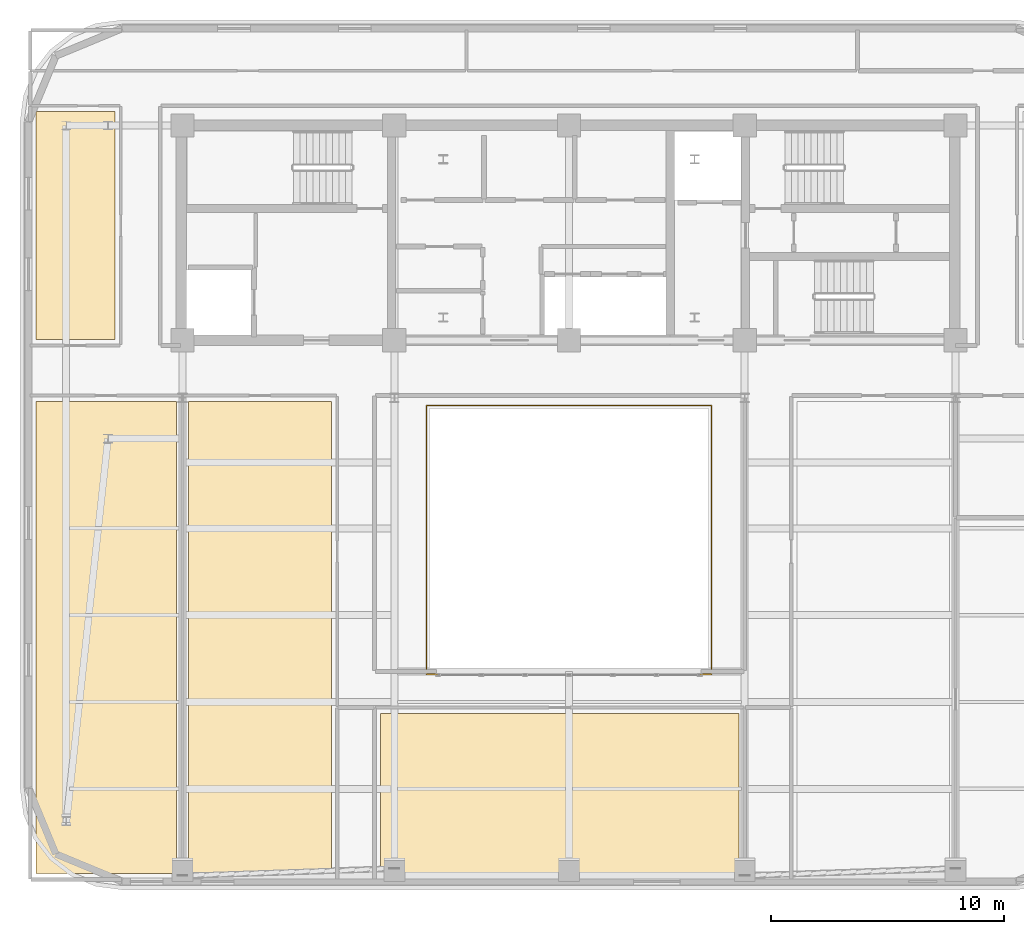
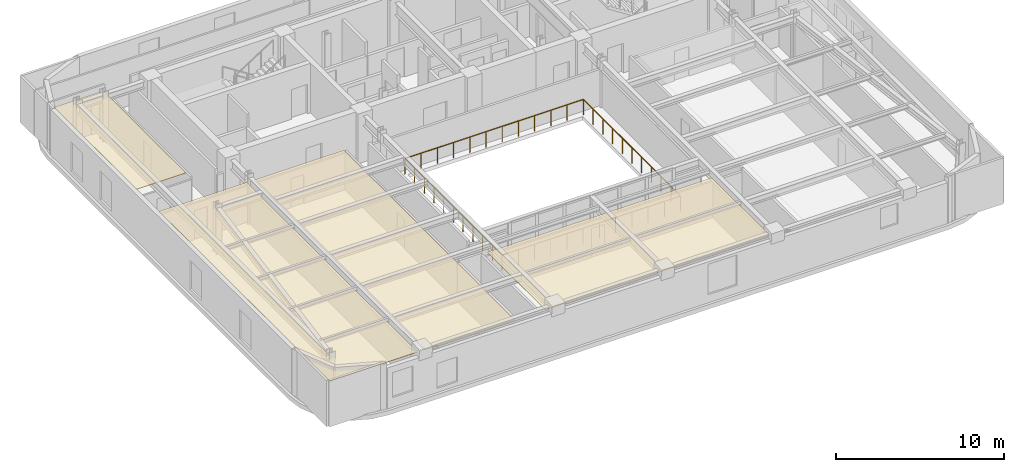
# One storey, part 10 of 13: 4 coverings, 1 railing.
"""IFC4 building model written with IfcOpenShell, lengths in metres."""

from ifc_helpers import new_model, si_unit, direction, frame, origin, origin_2d, place, context, subcontext, project, spatial, polyline, rectangle, outline, extrude, material, layer, layer_set, type_object, element, save


model = new_model("IFC4")

# Units and contexts
model_context = context("Model", 3, precision=1e-05, world=origin(), true_north=direction((0.0, 1.0)))
body_context = subcontext(model_context, "Body", "Model", "MODEL_VIEW")
ifc_project = project(units=[si_unit("LENGTHUNIT", "METRE"), si_unit("AREAUNIT", "SQUARE_METRE"), si_unit("VOLUMEUNIT", "CUBIC_METRE"), si_unit("PLANEANGLEUNIT", "RADIAN"), si_unit("MASSUNIT", "GRAM", prefix="KILO")], contexts=[model_context])

# Site, building, storey
site_placement = place(None, origin())
site = spatial("IfcSite", under=ifc_project, at=site_placement, CompositionType="ELEMENT")
building_placement = place(site_placement, origin())
building = spatial("IfcBuilding", under=site, at=building_placement, Name="Zarnavel Station Tower", CompositionType="ELEMENT")
storey_placement = place(building_placement, frame((0.0, 0.0, 232.800048828125)))
storey = spatial("IfcBuildingStorey", under=building, at=storey_placement, Name="L63", CompositionType="ELEMENT", Elevation=232.800048828125)

# Coverings
ifc_material_1 = material(Name="Perforated Gypsum and Mineral-Wool Acoustic Ceiling", Category="concrete")
ifc_layer = layer(ifc_material_1, 0.0400390625)
ifc_layer_set = layer_set([ifc_layer], Name="COV_CEIL_ACOUSTIC")
covering_type = type_object("IfcCoveringType", Name="COV_CEIL_ACOUSTIC", PredefinedType="CEILING", material=ifc_layer_set)
covering_1_placement = place(storey_placement, frame((0.0, 0.0, 3.02001953125)))
element("IfcCovering", 1, at=covering_1_placement, inside=storey, type_object=covering_type, Name="L63 FNW Acoustic Ceiling", PredefinedType="CEILING", context=body_context, shape_type="SweptSolid", body=[
    extrude(outline(polyline([(5.909912109375, 27.85009765625), (9.300048828125, 27.85009765625), (9.300048828125, 37.64990234375), (5.909912109375, 37.64990234375), (5.909912109375, 27.85009765625)])), origin(), (0.0, 0.0, 1.0), 0.0400390625),
])
covering_2_placement = place(storey_placement, frame((0.0, 0.0, 3.02001953125)))
element("IfcCovering", 2, at=covering_2_placement, inside=storey, type_object=covering_type, Name="L63 L63CLB Acoustic Ceiling", PredefinedType="CEILING", context=body_context, shape_type="SweptSolid", body=[
    extrude(outline(polyline([(5.909912109375, 4.909912109375), (11.949951171875, 4.909912109375), (11.949951171875, 25.199951171875), (5.909912109375, 25.199951171875), (5.909912109375, 4.909912109375)])), origin(), (0.0, 0.0, 1.0), 0.0400390625),
])
covering_3_placement = place(storey_placement, frame((0.0, 0.0, 3.02001953125)))
element("IfcCovering", 3, at=covering_3_placement, inside=storey, type_object=covering_type, Name="L63 L63BRD Acoustic Ceiling", PredefinedType="CEILING", context=body_context, shape_type="SweptSolid", body=[
    extrude(outline(polyline([(12.449951171875, 4.909912109375), (18.60009765625, 4.909912109375), (18.60009765625, 25.199951171875), (12.449951171875, 25.199951171875), (12.449951171875, 4.909912109375)])), origin(), (0.0, 0.0, 1.0), 0.0400390625),
])
covering_4_placement = place(storey_placement, frame((0.0, 0.0, 3.02001953125)))
element("IfcCovering", 4, at=covering_4_placement, inside=storey, type_object=covering_type, Name="L63 L63DIN Acoustic Ceiling", PredefinedType="CEILING", context=body_context, shape_type="SweptSolid", body=[
    extrude(outline(polyline([(20.699951171875, 4.909912109375), (36.10009765625, 4.909912109375), (36.10009765625, 11.800048828125), (20.699951171875, 11.800048828125), (20.699951171875, 4.909912109375)])), origin(), (0.0, 0.0, 1.0), 0.0400390625),
])

# Railing
ifc_material_2 = material(Name="Painted Steel S355J2 Balustrade", Category="steel")
railing_type = type_object("IfcRailingType", Name="GR_INT_1150", PredefinedType="GUARDRAIL", material=ifc_material_2)
railing_placement = place(storey_placement, frame((22.679931640625, 13.47998046875, 0.0)))
element("IfcRailing", 5, at=railing_placement, inside=storey, type_object=railing_type, Name="L63 Atrium Void Guardrail", PredefinedType="GUARDRAIL", context=body_context, shape_type="SweptSolid", body=[
    extrude(rectangle(XDim=0.048095703125, YDim=0.048095703125, at=origin_2d()), frame((0.001953125, 0.0, 1.1259765625), z_axis=(1.0, 0.0, 0.0), x_axis=(0.0, 1.0, 0.0)), (0.0, 0.0, 1.0), 12.236083984375),
    extrude(rectangle(XDim=0.048095703125, YDim=0.048095703125, at=origin_2d()), frame((12.239990234375, 0.001953125, 1.1259765625), z_axis=(0.0, 1.0, 0.0), x_axis=(-1.0, 0.0, 0.0)), (0.0, 0.0, 1.0), 11.5361328125),
    extrude(rectangle(XDim=0.048095703125, YDim=0.048095703125, at=origin_2d()), frame((12.238037109375, 11.5400390625, 1.1259765625), z_axis=(-1.0, 0.0, 0.0), x_axis=(0.0, -1.0, 0.0)), (0.0, 0.0, 1.0), 12.236083984375),
    extrude(rectangle(XDim=0.048095703125, YDim=0.048095703125, at=origin_2d()), frame((0.0, 11.5380859375, 1.1259765625), z_axis=(0.0, -1.0, 0.0), x_axis=(1.0, 0.0, 0.0)), (0.0, 0.0, 1.0), 11.5361328125),
    extrude(rectangle(XDim=0.0419921875, YDim=0.0419921875, at=origin_2d()), origin(), (0.0, 0.0, 1.0), 1.101806640625),
    extrude(rectangle(XDim=0.0419921875, YDim=0.0419921875, at=origin_2d()), frame((1.11279296875, 0.0, 0.0)), (0.0, 0.0, 1.0), 1.101806640625),
    extrude(rectangle(XDim=0.0419921875, YDim=0.0419921875, at=origin_2d()), frame((2.225341796875, 0.0, 0.0)), (0.0, 0.0, 1.0), 1.101806640625),
    extrude(rectangle(XDim=0.0419921875, YDim=0.0419921875, at=origin_2d()), frame((3.338134765625, 0.0, 0.0)), (0.0, 0.0, 1.0), 1.101806640625),
    extrude(rectangle(XDim=0.0419921875, YDim=0.0419921875, at=origin_2d()), frame((4.450927734375, 0.0, 0.0)), (0.0, 0.0, 1.0), 1.101806640625),
    extrude(rectangle(XDim=0.0419921875, YDim=0.0419921875, at=origin_2d()), frame((5.563720703125, 0.0, 0.0)), (0.0, 0.0, 1.0), 1.101806640625),
    extrude(rectangle(XDim=0.0419921875, YDim=0.0419921875, at=origin_2d()), frame((6.67626953125, 0.0, 0.0)), (0.0, 0.0, 1.0), 1.101806640625),
    extrude(rectangle(XDim=0.0419921875, YDim=0.0419921875, at=origin_2d()), frame((7.7890625, 0.0, 0.0)), (0.0, 0.0, 1.0), 1.101806640625),
    extrude(rectangle(XDim=0.0419921875, YDim=0.0419921875, at=origin_2d()), frame((8.90185546875, 0.0, 0.0)), (0.0, 0.0, 1.0), 1.101806640625),
    extrude(rectangle(XDim=0.0419921875, YDim=0.0419921875, at=origin_2d()), frame((10.0146484375, 0.0, 0.0)), (0.0, 0.0, 1.0), 1.101806640625),
    extrude(rectangle(XDim=0.0419921875, YDim=0.0419921875, at=origin_2d()), frame((11.127197265625, 0.0, 0.0)), (0.0, 0.0, 1.0), 1.101806640625),
    extrude(rectangle(XDim=0.0419921875, YDim=0.0419921875, at=origin_2d()), frame((12.239990234375, 0.0, 0.0)), (0.0, 0.0, 1.0), 1.101806640625),
    extrude(rectangle(XDim=0.0419921875, YDim=0.0419921875, at=origin_2d()), frame((12.239990234375, 1.154052734375, 0.0)), (0.0, 0.0, 1.0), 1.101806640625),
    extrude(rectangle(XDim=0.0419921875, YDim=0.0419921875, at=origin_2d()), frame((12.239990234375, 2.30810546875, 0.0)), (0.0, 0.0, 1.0), 1.101806640625),
    extrude(rectangle(XDim=0.0419921875, YDim=0.0419921875, at=origin_2d()), frame((12.239990234375, 3.4619140625, 0.0)), (0.0, 0.0, 1.0), 1.101806640625),
    extrude(rectangle(XDim=0.0419921875, YDim=0.0419921875, at=origin_2d()), frame((12.239990234375, 4.615966796875, 0.0)), (0.0, 0.0, 1.0), 1.101806640625),
    extrude(rectangle(XDim=0.0419921875, YDim=0.0419921875, at=origin_2d()), frame((12.239990234375, 5.77001953125, 0.0)), (0.0, 0.0, 1.0), 1.101806640625),
    extrude(rectangle(XDim=0.0419921875, YDim=0.0419921875, at=origin_2d()), frame((12.239990234375, 6.924072265625, 0.0)), (0.0, 0.0, 1.0), 1.101806640625),
    extrude(rectangle(XDim=0.0419921875, YDim=0.0419921875, at=origin_2d()), frame((12.239990234375, 8.078125, 0.0)), (0.0, 0.0, 1.0), 1.101806640625),
    extrude(rectangle(XDim=0.0419921875, YDim=0.0419921875, at=origin_2d()), frame((12.239990234375, 9.23193359375, 0.0)), (0.0, 0.0, 1.0), 1.101806640625),
    extrude(rectangle(XDim=0.0419921875, YDim=0.0419921875, at=origin_2d()), frame((12.239990234375, 10.385986328125, 0.0)), (0.0, 0.0, 1.0), 1.101806640625),
    extrude(rectangle(XDim=0.0419921875, YDim=0.0419921875, at=origin_2d()), frame((12.239990234375, 11.5400390625, 0.0)), (0.0, 0.0, 1.0), 1.101806640625),
    extrude(rectangle(XDim=0.0419921875, YDim=0.0419921875, at=origin_2d()), frame((11.127197265625, 11.5400390625, 0.0)), (0.0, 0.0, 1.0), 1.101806640625),
    extrude(rectangle(XDim=0.0419921875, YDim=0.0419921875, at=origin_2d()), frame((10.0146484375, 11.5400390625, 0.0)), (0.0, 0.0, 1.0), 1.101806640625),
    extrude(rectangle(XDim=0.0419921875, YDim=0.0419921875, at=origin_2d()), frame((8.90185546875, 11.5400390625, 0.0)), (0.0, 0.0, 1.0), 1.101806640625),
    extrude(rectangle(XDim=0.0419921875, YDim=0.0419921875, at=origin_2d()), frame((7.7890625, 11.5400390625, 0.0)), (0.0, 0.0, 1.0), 1.101806640625),
    extrude(rectangle(XDim=0.0419921875, YDim=0.0419921875, at=origin_2d()), frame((6.67626953125, 11.5400390625, 0.0)), (0.0, 0.0, 1.0), 1.101806640625),
    extrude(rectangle(XDim=0.0419921875, YDim=0.0419921875, at=origin_2d()), frame((5.563720703125, 11.5400390625, 0.0)), (0.0, 0.0, 1.0), 1.101806640625),
    extrude(rectangle(XDim=0.0419921875, YDim=0.0419921875, at=origin_2d()), frame((4.450927734375, 11.5400390625, 0.0)), (0.0, 0.0, 1.0), 1.101806640625),
    extrude(rectangle(XDim=0.0419921875, YDim=0.0419921875, at=origin_2d()), frame((3.338134765625, 11.5400390625, 0.0)), (0.0, 0.0, 1.0), 1.101806640625),
    extrude(rectangle(XDim=0.0419921875, YDim=0.0419921875, at=origin_2d()), frame((2.225341796875, 11.5400390625, 0.0)), (0.0, 0.0, 1.0), 1.101806640625),
    extrude(rectangle(XDim=0.0419921875, YDim=0.0419921875, at=origin_2d()), frame((1.11279296875, 11.5400390625, 0.0)), (0.0, 0.0, 1.0), 1.101806640625),
    extrude(rectangle(XDim=0.0419921875, YDim=0.0419921875, at=origin_2d()), frame((0.0, 11.5400390625, 0.0)), (0.0, 0.0, 1.0), 1.101806640625),
    extrude(rectangle(XDim=0.0419921875, YDim=0.0419921875, at=origin_2d()), frame((0.0, 10.385986328125, 0.0)), (0.0, 0.0, 1.0), 1.101806640625),
    extrude(rectangle(XDim=0.0419921875, YDim=0.0419921875, at=origin_2d()), frame((0.0, 9.23193359375, 0.0)), (0.0, 0.0, 1.0), 1.101806640625),
    extrude(rectangle(XDim=0.0419921875, YDim=0.0419921875, at=origin_2d()), frame((0.0, 8.078125, 0.0)), (0.0, 0.0, 1.0), 1.101806640625),
    extrude(rectangle(XDim=0.0419921875, YDim=0.0419921875, at=origin_2d()), frame((0.0, 6.924072265625, 0.0)), (0.0, 0.0, 1.0), 1.101806640625),
    extrude(rectangle(XDim=0.0419921875, YDim=0.0419921875, at=origin_2d()), frame((0.0, 5.77001953125, 0.0)), (0.0, 0.0, 1.0), 1.101806640625),
    extrude(rectangle(XDim=0.0419921875, YDim=0.0419921875, at=origin_2d()), frame((0.0, 4.615966796875, 0.0)), (0.0, 0.0, 1.0), 1.101806640625),
    extrude(rectangle(XDim=0.0419921875, YDim=0.0419921875, at=origin_2d()), frame((0.0, 3.4619140625, 0.0)), (0.0, 0.0, 1.0), 1.101806640625),
    extrude(rectangle(XDim=0.0419921875, YDim=0.0419921875, at=origin_2d()), frame((0.0, 2.30810546875, 0.0)), (0.0, 0.0, 1.0), 1.101806640625),
    extrude(rectangle(XDim=0.0419921875, YDim=0.0419921875, at=origin_2d()), frame((0.0, 1.154052734375, 0.0)), (0.0, 0.0, 1.0), 1.101806640625),
])

save(model, "model.ifc")
